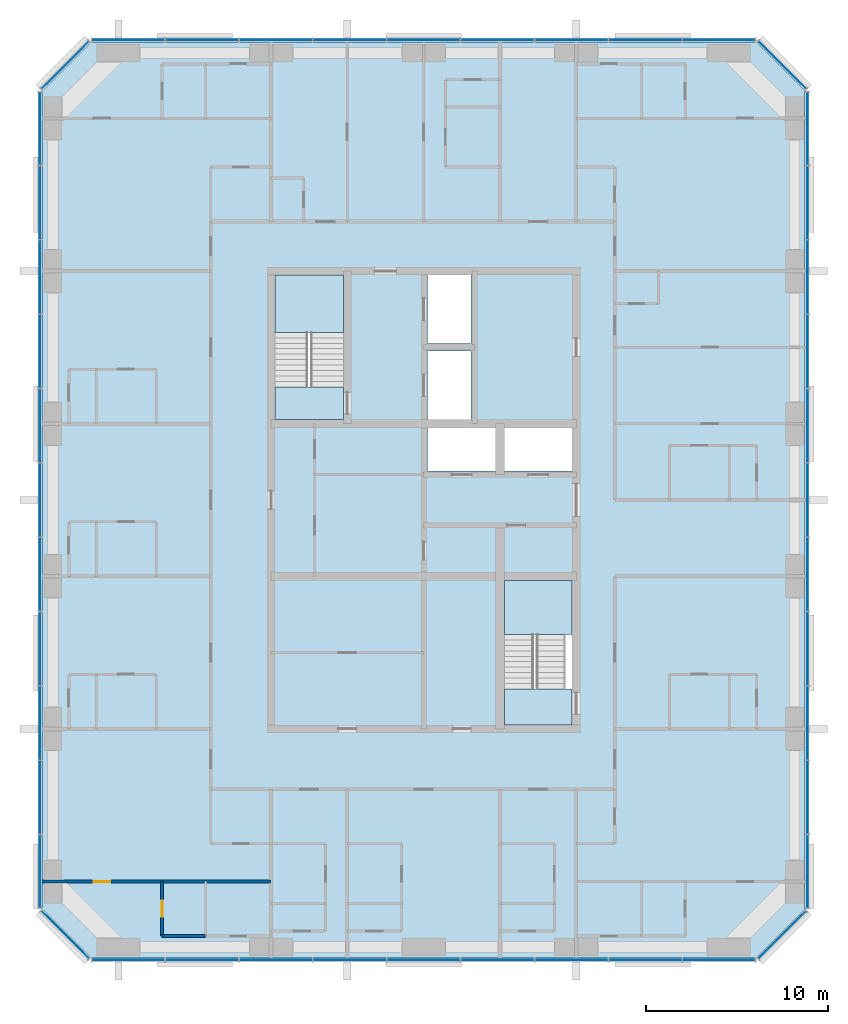
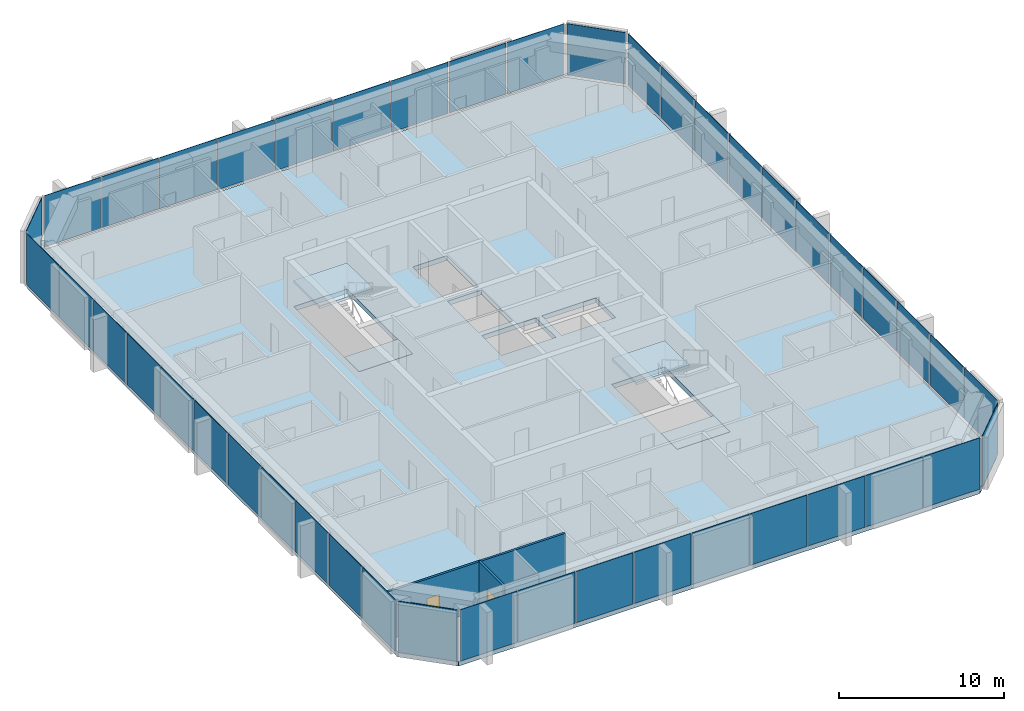
# One storey, part 6 of 12: 44 plates, 5 slabs, 3 walls, 2 doors, 2 openings, 10 elements without a shape of their own.
"""IFC4 building model written with IfcOpenShell, lengths in metres."""

from ifc_helpers import new_model, si_unit, direction, frame, frame_2d, origin, origin_2d, place, context, subcontext, project, spatial, polyline, rectangle, outline, extrude, material, layer, layer_set, type_object, element, fill, aggregate, save


model = new_model("IFC4")

# Units and contexts
model_context = context("Model", 3, precision=1e-05, world=origin(), true_north=direction((0.0, 1.0)))
body_context = subcontext(model_context, "Body", "Model", "MODEL_VIEW")
ifc_project = project(units=[si_unit("LENGTHUNIT", "METRE"), si_unit("AREAUNIT", "SQUARE_METRE"), si_unit("VOLUMEUNIT", "CUBIC_METRE"), si_unit("PLANEANGLEUNIT", "RADIAN"), si_unit("MASSUNIT", "GRAM", prefix="KILO")], contexts=[model_context])

# Site, building, storey
site_placement = place(None, origin())
site = spatial("IfcSite", under=ifc_project, at=site_placement, CompositionType="ELEMENT")
building_placement = place(site_placement, origin())
building = spatial("IfcBuilding", under=site, at=building_placement, Name="Dunama Terrace Hotel", CompositionType="ELEMENT")
storey_placement = place(building_placement, frame((0.0, 0.0, 245.10009765625)))
storey = spatial("IfcBuildingStorey", under=building, at=storey_placement, Name="L63", CompositionType="ELEMENT", Elevation=245.10009765625)

# Curtain wall, plates
ifc_material_1 = material(Name="Aluminium curtain wall system", Category="aluminium")
curtain_wall_type = type_object("IfcCurtainWallType", Name="Unitised fritted glass wall CW-D", PredefinedType="NOTDEFINED", material=ifc_material_1)
curtain_wall_1_placement = place(storey_placement, origin())
curtain_wall_1 = element("IfcCurtainWall", 1, at=curtain_wall_1_placement, inside=storey, type_object=curtain_wall_type, Name="Unitised fritted glass wall CW-D L63", PredefinedType="NOTDEFINED")
ifc_material_2 = material(Name="Laminated glass", Category="glass")
ifc_layer_1 = layer(ifc_material_2, 0.035888671875)
ifc_layer_set_1 = layer_set([ifc_layer_1], Name="CWD clear glass panel")
plate_type_1 = type_object("IfcPlateType", Name="CWD clear glass panel", PredefinedType="CURTAIN_PANEL", material=ifc_layer_set_1)
plate_1_placement = place(storey_placement, frame((25.467041015625, 4.080078125, 0.0849609375), z_axis=(0.0, 0.0, 1.0), x_axis=(1.0, 0.0, 0.0)))
plate_1 = element("IfcPlate", 2, at=plate_1_placement, type_object=plate_type_1, Name="CWD clear glass panel", PredefinedType="CURTAIN_PANEL", context=body_context, shape_type="SweptSolid", body=[
    extrude(rectangle(XDim=3.99658203125, YDim=0.035888671875, at=origin_2d()), origin(), (0.0, 0.0, 1.0), 3.81494140625),
])
plate_2_placement = place(storey_placement, frame((37.6669921875, 4.080078125, 0.0849609375), z_axis=(0.0, 0.0, 1.0), x_axis=(1.0, 0.0, 0.0)))
plate_2 = element("IfcPlate", 3, at=plate_2_placement, type_object=plate_type_1, Name="CWD clear glass panel", PredefinedType="CURTAIN_PANEL", context=body_context, shape_type="SweptSolid", body=[
    extrude(rectangle(XDim=3.99658203125, YDim=0.035888671875, at=origin_2d()), origin(), (0.0, 0.0, 1.0), 3.81494140625),
])
plate_3_placement = place(storey_placement, frame((49.84912109375, 4.080078125, 0.0849609375), z_axis=(0.0, 0.0, 1.0), x_axis=(1.0, 0.0, 0.0)))
plate_3 = element("IfcPlate", 4, at=plate_3_placement, type_object=plate_type_1, Name="CWD clear glass panel", PredefinedType="CURTAIN_PANEL", context=body_context, shape_type="SweptSolid", body=[
    extrude(rectangle(XDim=3.961669921875, YDim=0.035888671875, at=origin_2d()), origin(), (0.0, 0.0, 1.0), 3.81494140625),
])

curtain_wall_2_placement = place(storey_placement, origin())
curtain_wall_2 = element("IfcCurtainWall", 5, at=curtain_wall_2_placement, inside=storey, type_object=curtain_wall_type, Name="Unitised fritted glass wall CW-D L63", PredefinedType="NOTDEFINED")
plate_4_placement = place(storey_placement, frame((54.719970703125, 13.035888671875, 0.0849609375), z_axis=(0.0, 0.0, 1.0), x_axis=(0.0, 1.0, 0.0)))
plate_4 = element("IfcPlate", 6, at=plate_4_placement, type_object=plate_type_1, Name="CWD clear glass panel", PredefinedType="CURTAIN_PANEL", context=body_context, shape_type="SweptSolid", body=[
    extrude(rectangle(XDim=4.02099609375, YDim=0.035888671875, at=origin_2d()), origin(), (0.0, 0.0, 1.0), 3.81494140625),
])
plate_5_placement = place(storey_placement, frame((54.719970703125, 25.30908203125, 0.0849609375), z_axis=(0.0, 0.0, 1.0), x_axis=(0.0, 1.0, 0.0)))
plate_5 = element("IfcPlate", 7, at=plate_5_placement, type_object=plate_type_1, Name="CWD clear glass panel", PredefinedType="CURTAIN_PANEL", context=body_context, shape_type="SweptSolid", body=[
    extrude(rectangle(XDim=4.02099609375, YDim=0.035888671875, at=origin_2d()), origin(), (0.0, 0.0, 1.0), 3.81494140625),
])
plate_6_placement = place(storey_placement, frame((54.719970703125, 37.58203125, 0.0849609375), z_axis=(0.0, 0.0, 1.0), x_axis=(0.0, 1.0, 0.0)))
plate_6 = element("IfcPlate", 8, at=plate_6_placement, type_object=plate_type_1, Name="CWD clear glass panel", PredefinedType="CURTAIN_PANEL", context=body_context, shape_type="SweptSolid", body=[
    extrude(rectangle(XDim=4.02099609375, YDim=0.035888671875, at=origin_2d()), origin(), (0.0, 0.0, 1.0), 3.81494140625),
])
plate_7_placement = place(storey_placement, frame((54.719970703125, 49.8369140625, 0.0849609375), z_axis=(0.0, 0.0, 1.0), x_axis=(0.0, 1.0, 0.0)))
plate_7 = element("IfcPlate", 9, at=plate_7_placement, type_object=plate_type_1, Name="CWD clear glass panel", PredefinedType="CURTAIN_PANEL", context=body_context, shape_type="SweptSolid", body=[
    extrude(rectangle(XDim=3.98583984375, YDim=0.035888671875, at=origin_2d()), origin(), (0.0, 0.0, 1.0), 3.81494140625),
])

curtain_wall_3_placement = place(storey_placement, origin())
curtain_wall_3 = element("IfcCurtainWall", 10, at=curtain_wall_3_placement, inside=storey, type_object=curtain_wall_type, Name="Unitised fritted glass wall CW-D L63", PredefinedType="NOTDEFINED")
plate_8_placement = place(storey_placement, frame((45.800048828125, 54.719970703125, 0.0849609375), z_axis=(0.0, 0.0, 1.0), x_axis=(-1.0, 0.0, 0.0)))
plate_8 = element("IfcPlate", 11, at=plate_8_placement, type_object=plate_type_1, Name="CWD clear glass panel", PredefinedType="CURTAIN_PANEL", context=body_context, shape_type="SweptSolid", body=[
    extrude(rectangle(XDim=3.99658203125, YDim=0.035888671875, at=origin_2d()), origin(), (0.0, 0.0, 1.0), 3.81494140625),
])
plate_9_placement = place(storey_placement, frame((33.60009765625, 54.719970703125, 0.0849609375), z_axis=(0.0, 0.0, 1.0), x_axis=(-1.0, 0.0, 0.0)))
plate_9 = element("IfcPlate", 12, at=plate_9_placement, type_object=plate_type_1, Name="CWD clear glass panel", PredefinedType="CURTAIN_PANEL", context=body_context, shape_type="SweptSolid", body=[
    extrude(rectangle(XDim=3.99658203125, YDim=0.035888671875, at=origin_2d()), origin(), (0.0, 0.0, 1.0), 3.81494140625),
])
plate_10_placement = place(storey_placement, frame((21.39990234375, 54.719970703125, 0.0849609375), z_axis=(0.0, 0.0, 1.0), x_axis=(-1.0, 0.0, 0.0)))
plate_10 = element("IfcPlate", 13, at=plate_10_placement, type_object=plate_type_1, Name="CWD clear glass panel", PredefinedType="CURTAIN_PANEL", context=body_context, shape_type="SweptSolid", body=[
    extrude(rectangle(XDim=3.99658203125, YDim=0.035888671875, at=origin_2d()), origin(), (0.0, 0.0, 1.0), 3.81494140625),
])

curtain_wall_4_placement = place(storey_placement, origin())
curtain_wall_4 = element("IfcCurtainWall", 14, at=curtain_wall_4_placement, inside=storey, type_object=curtain_wall_type, Name="Unitised fritted glass wall CW-D L63", PredefinedType="NOTDEFINED")
plate_11_placement = place(storey_placement, frame((12.47998046875, 49.8369140625, 0.0849609375), z_axis=(0.0, 0.0, 1.0), x_axis=(0.0, -1.0, 0.0)))
plate_11 = element("IfcPlate", 15, at=plate_11_placement, type_object=plate_type_1, Name="CWD clear glass panel", PredefinedType="CURTAIN_PANEL", context=body_context, shape_type="SweptSolid", body=[
    extrude(rectangle(XDim=3.98583984375, YDim=0.035888671875, at=origin_2d()), origin(), (0.0, 0.0, 1.0), 3.81494140625),
])
plate_12_placement = place(storey_placement, frame((12.47998046875, 37.58203125, 0.0849609375), z_axis=(0.0, 0.0, 1.0), x_axis=(0.0, -1.0, 0.0)))
plate_12 = element("IfcPlate", 16, at=plate_12_placement, type_object=plate_type_1, Name="CWD clear glass panel", PredefinedType="CURTAIN_PANEL", context=body_context, shape_type="SweptSolid", body=[
    extrude(rectangle(XDim=4.02099609375, YDim=0.035888671875, at=origin_2d()), origin(), (0.0, 0.0, 1.0), 3.81494140625),
])
plate_13_placement = place(storey_placement, frame((12.47998046875, 25.30908203125, 0.0849609375), z_axis=(0.0, 0.0, 1.0), x_axis=(0.0, -1.0, 0.0)))
plate_13 = element("IfcPlate", 17, at=plate_13_placement, type_object=plate_type_1, Name="CWD clear glass panel", PredefinedType="CURTAIN_PANEL", context=body_context, shape_type="SweptSolid", body=[
    extrude(rectangle(XDim=4.02099609375, YDim=0.035888671875, at=origin_2d()), origin(), (0.0, 0.0, 1.0), 3.81494140625),
])
plate_14_placement = place(storey_placement, frame((12.47998046875, 13.035888671875, 0.0849609375), z_axis=(0.0, 0.0, 1.0), x_axis=(0.0, -1.0, 0.0)))
plate_14 = element("IfcPlate", 18, at=plate_14_placement, type_object=plate_type_1, Name="CWD clear glass panel", PredefinedType="CURTAIN_PANEL", context=body_context, shape_type="SweptSolid", body=[
    extrude(rectangle(XDim=4.02099609375, YDim=0.035888671875, at=origin_2d()), origin(), (0.0, 0.0, 1.0), 3.81494140625),
])

# Plate
ifc_material_3 = material(Name="Fritted laminated glass", Category="glass")
ifc_layer_2 = layer(ifc_material_3, 0.035888671875)
ifc_layer_set_2 = layer_set([ifc_layer_2], Name="CWD fritted glass panel")
plate_type_2 = type_object("IfcPlateType", Name="CWD fritted glass panel", PredefinedType="CURTAIN_PANEL", material=ifc_layer_set_2)
plate_15_placement = place(storey_placement, frame((21.39990234375, 4.080078125, 0.0849609375), z_axis=(0.0, 0.0, 1.0), x_axis=(1.0, 0.0, 0.0)))
plate_15 = element("IfcPlate", 19, at=plate_15_placement, type_object=plate_type_2, Name="CWD fritted glass panel", PredefinedType="CURTAIN_PANEL", context=body_context, shape_type="SweptSolid", body=[
    extrude(rectangle(XDim=3.99658203125, YDim=0.035888671875, at=origin_2d()), origin(), (0.0, 0.0, 1.0), 3.81494140625),
])

plate_16_placement = place(storey_placement, frame((33.60009765625, 4.080078125, 0.0849609375), z_axis=(0.0, 0.0, 1.0), x_axis=(1.0, 0.0, 0.0)))
plate_16 = element("IfcPlate", 20, at=plate_16_placement, type_object=plate_type_2, Name="CWD fritted glass panel", PredefinedType="CURTAIN_PANEL", context=body_context, shape_type="SweptSolid", body=[
    extrude(rectangle(XDim=3.99658203125, YDim=0.035888671875, at=origin_2d()), origin(), (0.0, 0.0, 1.0), 3.81494140625),
])

plate_17_placement = place(storey_placement, frame((45.800048828125, 4.080078125, 0.0849609375), z_axis=(0.0, 0.0, 1.0), x_axis=(1.0, 0.0, 0.0)))
plate_17 = element("IfcPlate", 21, at=plate_17_placement, type_object=plate_type_2, Name="CWD fritted glass panel", PredefinedType="CURTAIN_PANEL", context=body_context, shape_type="SweptSolid", body=[
    extrude(rectangle(XDim=3.99658203125, YDim=0.035888671875, at=origin_2d()), origin(), (0.0, 0.0, 1.0), 3.81494140625),
])

plate_18_placement = place(storey_placement, frame((54.719970703125, 8.962890625, 0.0849609375), z_axis=(0.0, 0.0, 1.0), x_axis=(0.0, 1.0, 0.0)))
plate_18 = element("IfcPlate", 22, at=plate_18_placement, type_object=plate_type_2, Name="CWD fritted glass panel", PredefinedType="CURTAIN_PANEL", context=body_context, shape_type="SweptSolid", body=[
    extrude(rectangle(XDim=3.98583984375, YDim=0.035888671875, at=origin_2d()), origin(), (0.0, 0.0, 1.0), 3.81494140625),
])

plate_19_placement = place(storey_placement, frame((54.719970703125, 21.218017578125, 0.0849609375), z_axis=(0.0, 0.0, 1.0), x_axis=(0.0, 1.0, 0.0)))
plate_19 = element("IfcPlate", 23, at=plate_19_placement, type_object=plate_type_2, Name="CWD fritted glass panel", PredefinedType="CURTAIN_PANEL", context=body_context, shape_type="SweptSolid", body=[
    extrude(rectangle(XDim=4.02099609375, YDim=0.035888671875, at=origin_2d()), origin(), (0.0, 0.0, 1.0), 3.81494140625),
])

plate_20_placement = place(storey_placement, frame((54.719970703125, 33.490966796875, 0.0849609375), z_axis=(0.0, 0.0, 1.0), x_axis=(0.0, 1.0, 0.0)))
plate_20 = element("IfcPlate", 24, at=plate_20_placement, type_object=plate_type_2, Name="CWD fritted glass panel", PredefinedType="CURTAIN_PANEL", context=body_context, shape_type="SweptSolid", body=[
    extrude(rectangle(XDim=4.02099609375, YDim=0.035888671875, at=origin_2d()), origin(), (0.0, 0.0, 1.0), 3.81494140625),
])

plate_21_placement = place(storey_placement, frame((54.719970703125, 45.763916015625, 0.0849609375), z_axis=(0.0, 0.0, 1.0), x_axis=(0.0, 1.0, 0.0)))
plate_21 = element("IfcPlate", 25, at=plate_21_placement, type_object=plate_type_2, Name="CWD fritted glass panel", PredefinedType="CURTAIN_PANEL", context=body_context, shape_type="SweptSolid", body=[
    extrude(rectangle(XDim=4.02099609375, YDim=0.035888671875, at=origin_2d()), origin(), (0.0, 0.0, 1.0), 3.81494140625),
])

plate_22_placement = place(storey_placement, frame((49.84912109375, 54.719970703125, 0.0849609375), z_axis=(0.0, 0.0, 1.0), x_axis=(-1.0, 0.0, 0.0)))
plate_22 = element("IfcPlate", 26, at=plate_22_placement, type_object=plate_type_2, Name="CWD fritted glass panel", PredefinedType="CURTAIN_PANEL", context=body_context, shape_type="SweptSolid", body=[
    extrude(rectangle(XDim=3.961669921875, YDim=0.035888671875, at=origin_2d()), origin(), (0.0, 0.0, 1.0), 3.81494140625),
])

plate_23_placement = place(storey_placement, frame((37.6669921875, 54.719970703125, 0.0849609375), z_axis=(0.0, 0.0, 1.0), x_axis=(-1.0, 0.0, 0.0)))
plate_23 = element("IfcPlate", 27, at=plate_23_placement, type_object=plate_type_2, Name="CWD fritted glass panel", PredefinedType="CURTAIN_PANEL", context=body_context, shape_type="SweptSolid", body=[
    extrude(rectangle(XDim=3.99658203125, YDim=0.035888671875, at=origin_2d()), origin(), (0.0, 0.0, 1.0), 3.81494140625),
])

plate_24_placement = place(storey_placement, frame((25.467041015625, 54.719970703125, 0.0849609375), z_axis=(0.0, 0.0, 1.0), x_axis=(-1.0, 0.0, 0.0)))
plate_24 = element("IfcPlate", 28, at=plate_24_placement, type_object=plate_type_2, Name="CWD fritted glass panel", PredefinedType="CURTAIN_PANEL", context=body_context, shape_type="SweptSolid", body=[
    extrude(rectangle(XDim=3.99658203125, YDim=0.035888671875, at=origin_2d()), origin(), (0.0, 0.0, 1.0), 3.81494140625),
])

# Curtain wall, plate
curtain_wall_5_placement = place(storey_placement, origin())
curtain_wall_5 = element("IfcCurtainWall", 29, at=curtain_wall_5_placement, inside=storey, type_object=curtain_wall_type, Name="Unitised fritted glass wall CW-D L63", PredefinedType="NOTDEFINED")
plate_25_placement = place(storey_placement, frame((13.864990234375, 53.3349609375, 0.0849609375), z_axis=(0.0, 0.0, 1.0), x_axis=(-0.707106781187, -0.707106781187, 0.0)))
plate_25 = element("IfcPlate", 30, at=plate_25_placement, type_object=plate_type_2, Name="CWD fritted glass panel", PredefinedType="CURTAIN_PANEL", context=body_context, shape_type="SweptSolid", body=[
    extrude(rectangle(XDim=3.678466796875, YDim=0.035888671875, at=origin_2d()), origin(), (0.0, 0.0, 1.0), 3.81494140625),
])
aggregate(curtain_wall_5, [plate_25])

# Plate
plate_26_placement = place(storey_placement, frame((12.47998046875, 41.673095703125, 0.0849609375), z_axis=(0.0, 0.0, 1.0), x_axis=(0.0, -1.0, 0.0)))
plate_26 = element("IfcPlate", 31, at=plate_26_placement, type_object=plate_type_2, Name="CWD fritted glass panel", PredefinedType="CURTAIN_PANEL", context=body_context, shape_type="SweptSolid", body=[
    extrude(rectangle(XDim=4.02099609375, YDim=0.035888671875, at=origin_2d()), origin(), (0.0, 0.0, 1.0), 3.81494140625),
])

plate_27_placement = place(storey_placement, frame((12.47998046875, 29.39990234375, 0.0849609375), z_axis=(0.0, 0.0, 1.0), x_axis=(0.0, -1.0, 0.0)))
plate_27 = element("IfcPlate", 32, at=plate_27_placement, type_object=plate_type_2, Name="CWD fritted glass panel", PredefinedType="CURTAIN_PANEL", context=body_context, shape_type="SweptSolid", body=[
    extrude(rectangle(XDim=4.02099609375, YDim=0.035888671875, at=origin_2d()), origin(), (0.0, 0.0, 1.0), 3.81494140625),
])

plate_28_placement = place(storey_placement, frame((12.47998046875, 17.126953125, 0.0849609375), z_axis=(0.0, 0.0, 1.0), x_axis=(0.0, -1.0, 0.0)))
plate_28 = element("IfcPlate", 33, at=plate_28_placement, type_object=plate_type_2, Name="CWD fritted glass panel", PredefinedType="CURTAIN_PANEL", context=body_context, shape_type="SweptSolid", body=[
    extrude(rectangle(XDim=4.02099609375, YDim=0.035888671875, at=origin_2d()), origin(), (0.0, 0.0, 1.0), 3.81494140625),
])

# Curtain wall, plate
curtain_wall_6_placement = place(storey_placement, origin())
curtain_wall_6 = element("IfcCurtainWall", 34, at=curtain_wall_6_placement, inside=storey, type_object=curtain_wall_type, Name="Unitised fritted glass wall CW-D L63", PredefinedType="NOTDEFINED")
plate_29_placement = place(storey_placement, frame((13.864990234375, 5.465087890625, 0.0849609375), z_axis=(0.0, 0.0, 1.0), x_axis=(0.707106781187, -0.707106781187, 0.0)))
plate_29 = element("IfcPlate", 35, at=plate_29_placement, type_object=plate_type_2, Name="CWD fritted glass panel", PredefinedType="CURTAIN_PANEL", context=body_context, shape_type="SweptSolid", body=[
    extrude(rectangle(XDim=3.678466796875, YDim=0.035888671875, at=origin_2d()), origin(), (0.0, 0.0, 1.0), 3.81494140625),
])
aggregate(curtain_wall_6, [plate_29])

# Plate
ifc_material_4 = material(Name="Laminated glass", Category="glass")
ifc_layer_3 = layer(ifc_material_4, 0.035888671875)
ifc_layer_set_3 = layer_set([ifc_layer_3], Name="CWD operable glass panel")
plate_type_3 = type_object("IfcPlateType", Name="CWD operable glass panel", PredefinedType="CURTAIN_PANEL", material=ifc_layer_set_3)
plate_30_placement = place(storey_placement, frame((17.35107421875, 4.080078125, 0.0849609375), z_axis=(0.0, 0.0, 1.0), x_axis=(1.0, 0.0, 0.0)))
plate_30 = element("IfcPlate", 36, at=plate_30_placement, type_object=plate_type_3, Name="CWD operable glass panel", PredefinedType="CURTAIN_PANEL", context=body_context, shape_type="SweptSolid", body=[
    extrude(rectangle(XDim=3.961669921875, YDim=0.035888671875, at=origin_2d()), origin(), (0.0, 0.0, 1.0), 3.81494140625),
])

plate_31_placement = place(storey_placement, frame((29.532958984375, 4.080078125, 0.0849609375), z_axis=(0.0, 0.0, 1.0), x_axis=(1.0, 0.0, 0.0)))
plate_31 = element("IfcPlate", 37, at=plate_31_placement, type_object=plate_type_3, Name="CWD operable glass panel", PredefinedType="CURTAIN_PANEL", context=body_context, shape_type="SweptSolid", body=[
    extrude(rectangle(XDim=3.99658203125, YDim=0.035888671875, at=origin_2d()), origin(), (0.0, 0.0, 1.0), 3.81494140625),
])

plate_32_placement = place(storey_placement, frame((41.73291015625, 4.080078125, 0.0849609375), z_axis=(0.0, 0.0, 1.0), x_axis=(1.0, 0.0, 0.0)))
plate_32 = element("IfcPlate", 38, at=plate_32_placement, type_object=plate_type_3, Name="CWD operable glass panel", PredefinedType="CURTAIN_PANEL", context=body_context, shape_type="SweptSolid", body=[
    extrude(rectangle(XDim=3.99658203125, YDim=0.035888671875, at=origin_2d()), origin(), (0.0, 0.0, 1.0), 3.81494140625),
])

aggregate(curtain_wall_1, [plate_30, plate_15, plate_1, plate_31, plate_16, plate_2, plate_32, plate_17, plate_3])

# Curtain wall, plate
curtain_wall_7_placement = place(storey_placement, origin())
curtain_wall_7 = element("IfcCurtainWall", 39, at=curtain_wall_7_placement, inside=storey, type_object=curtain_wall_type, Name="Unitised fritted glass wall CW-D L63", PredefinedType="NOTDEFINED")
plate_33_placement = place(storey_placement, frame((53.3349609375, 5.465087890625, 0.0849609375), z_axis=(0.0, 0.0, 1.0), x_axis=(0.707106781187, 0.707106781187, 0.0)))
plate_33 = element("IfcPlate", 40, at=plate_33_placement, type_object=plate_type_3, Name="CWD operable glass panel", PredefinedType="CURTAIN_PANEL", context=body_context, shape_type="SweptSolid", body=[
    extrude(rectangle(XDim=3.678466796875, YDim=0.035888671875, at=origin_2d()), origin(), (0.0, 0.0, 1.0), 3.81494140625),
])
aggregate(curtain_wall_7, [plate_33])

# Plate
plate_34_placement = place(storey_placement, frame((54.719970703125, 17.126953125, 0.0849609375), z_axis=(0.0, 0.0, 1.0), x_axis=(0.0, 1.0, 0.0)))
plate_34 = element("IfcPlate", 41, at=plate_34_placement, type_object=plate_type_3, Name="CWD operable glass panel", PredefinedType="CURTAIN_PANEL", context=body_context, shape_type="SweptSolid", body=[
    extrude(rectangle(XDim=4.02099609375, YDim=0.035888671875, at=origin_2d()), origin(), (0.0, 0.0, 1.0), 3.81494140625),
])

plate_35_placement = place(storey_placement, frame((54.719970703125, 29.39990234375, 0.0849609375), z_axis=(0.0, 0.0, 1.0), x_axis=(0.0, 1.0, 0.0)))
plate_35 = element("IfcPlate", 42, at=plate_35_placement, type_object=plate_type_3, Name="CWD operable glass panel", PredefinedType="CURTAIN_PANEL", context=body_context, shape_type="SweptSolid", body=[
    extrude(rectangle(XDim=4.02099609375, YDim=0.035888671875, at=origin_2d()), origin(), (0.0, 0.0, 1.0), 3.81494140625),
])

plate_36_placement = place(storey_placement, frame((54.719970703125, 41.673095703125, 0.0849609375), z_axis=(0.0, 0.0, 1.0), x_axis=(0.0, 1.0, 0.0)))
plate_36 = element("IfcPlate", 43, at=plate_36_placement, type_object=plate_type_3, Name="CWD operable glass panel", PredefinedType="CURTAIN_PANEL", context=body_context, shape_type="SweptSolid", body=[
    extrude(rectangle(XDim=4.02099609375, YDim=0.035888671875, at=origin_2d()), origin(), (0.0, 0.0, 1.0), 3.81494140625),
])

aggregate(curtain_wall_2, [plate_18, plate_4, plate_34, plate_19, plate_5, plate_35, plate_20, plate_6, plate_36, plate_21, plate_7])

# Curtain wall, plate
curtain_wall_8_placement = place(storey_placement, origin())
curtain_wall_8 = element("IfcCurtainWall", 44, at=curtain_wall_8_placement, inside=storey, type_object=curtain_wall_type, Name="Unitised fritted glass wall CW-D L63", PredefinedType="NOTDEFINED")
plate_37_placement = place(storey_placement, frame((53.3349609375, 53.3349609375, 0.0849609375), z_axis=(0.0, 0.0, 1.0), x_axis=(-0.707106781187, 0.707106781187, 0.0)))
plate_37 = element("IfcPlate", 45, at=plate_37_placement, type_object=plate_type_3, Name="CWD operable glass panel", PredefinedType="CURTAIN_PANEL", context=body_context, shape_type="SweptSolid", body=[
    extrude(rectangle(XDim=3.678466796875, YDim=0.035888671875, at=origin_2d()), origin(), (0.0, 0.0, 1.0), 3.81494140625),
])
aggregate(curtain_wall_8, [plate_37])

# Plate
plate_38_placement = place(storey_placement, frame((41.73291015625, 54.719970703125, 0.0849609375), z_axis=(0.0, 0.0, 1.0), x_axis=(-1.0, 0.0, 0.0)))
plate_38 = element("IfcPlate", 46, at=plate_38_placement, type_object=plate_type_3, Name="CWD operable glass panel", PredefinedType="CURTAIN_PANEL", context=body_context, shape_type="SweptSolid", body=[
    extrude(rectangle(XDim=3.99658203125, YDim=0.035888671875, at=origin_2d()), origin(), (0.0, 0.0, 1.0), 3.81494140625),
])

plate_39_placement = place(storey_placement, frame((29.532958984375, 54.719970703125, 0.0849609375), z_axis=(0.0, 0.0, 1.0), x_axis=(-1.0, 0.0, 0.0)))
plate_39 = element("IfcPlate", 47, at=plate_39_placement, type_object=plate_type_3, Name="CWD operable glass panel", PredefinedType="CURTAIN_PANEL", context=body_context, shape_type="SweptSolid", body=[
    extrude(rectangle(XDim=3.99658203125, YDim=0.035888671875, at=origin_2d()), origin(), (0.0, 0.0, 1.0), 3.81494140625),
])

plate_40_placement = place(storey_placement, frame((17.35107421875, 54.719970703125, 0.0849609375), z_axis=(0.0, 0.0, 1.0), x_axis=(-1.0, 0.0, 0.0)))
plate_40 = element("IfcPlate", 48, at=plate_40_placement, type_object=plate_type_3, Name="CWD operable glass panel", PredefinedType="CURTAIN_PANEL", context=body_context, shape_type="SweptSolid", body=[
    extrude(rectangle(XDim=3.961669921875, YDim=0.035888671875, at=origin_2d()), origin(), (0.0, 0.0, 1.0), 3.81494140625),
])

aggregate(curtain_wall_3, [plate_22, plate_8, plate_38, plate_23, plate_9, plate_39, plate_24, plate_10, plate_40])

plate_41_placement = place(storey_placement, frame((12.47998046875, 45.763916015625, 0.0849609375), z_axis=(0.0, 0.0, 1.0), x_axis=(0.0, -1.0, 0.0)))
plate_41 = element("IfcPlate", 49, at=plate_41_placement, type_object=plate_type_3, Name="CWD operable glass panel", PredefinedType="CURTAIN_PANEL", context=body_context, shape_type="SweptSolid", body=[
    extrude(rectangle(XDim=4.02099609375, YDim=0.035888671875, at=origin_2d()), origin(), (0.0, 0.0, 1.0), 3.81494140625),
])

plate_42_placement = place(storey_placement, frame((12.47998046875, 33.490966796875, 0.0849609375), z_axis=(0.0, 0.0, 1.0), x_axis=(0.0, -1.0, 0.0)))
plate_42 = element("IfcPlate", 50, at=plate_42_placement, type_object=plate_type_3, Name="CWD operable glass panel", PredefinedType="CURTAIN_PANEL", context=body_context, shape_type="SweptSolid", body=[
    extrude(rectangle(XDim=4.02099609375, YDim=0.035888671875, at=origin_2d()), origin(), (0.0, 0.0, 1.0), 3.81494140625),
])

plate_43_placement = place(storey_placement, frame((12.47998046875, 21.218017578125, 0.0849609375), z_axis=(0.0, 0.0, 1.0), x_axis=(0.0, -1.0, 0.0)))
plate_43 = element("IfcPlate", 51, at=plate_43_placement, type_object=plate_type_3, Name="CWD operable glass panel", PredefinedType="CURTAIN_PANEL", context=body_context, shape_type="SweptSolid", body=[
    extrude(rectangle(XDim=4.02099609375, YDim=0.035888671875, at=origin_2d()), origin(), (0.0, 0.0, 1.0), 3.81494140625),
])

plate_44_placement = place(storey_placement, frame((12.47998046875, 8.962890625, 0.0849609375), z_axis=(0.0, 0.0, 1.0), x_axis=(0.0, -1.0, 0.0)))
plate_44 = element("IfcPlate", 52, at=plate_44_placement, type_object=plate_type_3, Name="CWD operable glass panel", PredefinedType="CURTAIN_PANEL", context=body_context, shape_type="SweptSolid", body=[
    extrude(rectangle(XDim=3.98583984375, YDim=0.035888671875, at=origin_2d()), origin(), (0.0, 0.0, 1.0), 3.81494140625),
])

aggregate(curtain_wall_4, [plate_11, plate_41, plate_26, plate_12, plate_42, plate_27, plate_13, plate_43, plate_28, plate_14, plate_44])

# Slab
ifc_material_5 = material(Name="Concrete C40/50", Category="concrete")
ifc_layer_4 = layer(ifc_material_5, 0.35009765625)
ifc_layer_set_4 = layer_set([ifc_layer_4], Name="Flat plate 350")
slab_type_1 = type_object("IfcSlabType", Name="Flat plate 350", PredefinedType="FLOOR", material=ifc_layer_set_4)
slab_1_placement = place(storey_placement, frame((0.0, 0.0, -0.35009765625)))
element("IfcSlab", 53, at=slab_1_placement, inside=storey, type_object=slab_type_1, Name="Floor slab L63", PredefinedType="FLOOR", context=body_context, shape_type="SweptSolid", body=[
    extrude(outline(polyline([(15.300048828125, 4.199951171875), (51.89990234375, 4.199951171875), (54.60009765625, 6.89990234375), (54.60009765625, 51.89990234375), (51.89990234375, 54.60009765625), (15.300048828125, 54.60009765625), (12.60009765625, 51.89990234375), (12.60009765625, 6.89990234375), (15.300048828125, 4.199951171875)]), holes=[polyline([(37.60009765625, 31.0), (37.60009765625, 33.39990234375), (33.800048828125, 33.39990234375), (33.800048828125, 31.0), (37.60009765625, 31.0)]), polyline([(41.800048828125, 31.0), (41.800048828125, 33.39990234375), (38.0, 33.39990234375), (38.0, 31.0), (41.800048828125, 31.0)]), polyline([(36.199951171875, 38.0), (36.199951171875, 41.800048828125), (33.800048828125, 41.800048828125), (33.800048828125, 38.0), (36.199951171875, 38.0)]), polyline([(36.199951171875, 33.800048828125), (36.199951171875, 37.60009765625), (33.800048828125, 37.60009765625), (33.800048828125, 33.800048828125), (36.199951171875, 33.800048828125)]), polyline([(29.175048828125, 33.824951171875), (29.175048828125, 41.77490234375), (25.425048828125, 41.77490234375), (25.425048828125, 33.824951171875), (29.175048828125, 33.824951171875)]), polyline([(41.77490234375, 17.02490234375), (41.77490234375, 24.97509765625), (38.050048828125, 24.97509765625), (38.050048828125, 17.02490234375), (41.77490234375, 17.02490234375)])]), origin(), (0.0, 0.0, 1.0), 0.35009765625),
])

# Stair, slabs
ifc_material_6 = material(Name="Concrete C40/50", Category="concrete")
stair_type_1 = type_object("IfcStairType", Name="Stair ST1-3900-1800", PredefinedType="HALF_TURN_STAIR", material=ifc_material_6)
stair_1_placement = place(storey_placement, origin())
stair_1 = element("IfcStair", 54, at=stair_1_placement, inside=storey, type_object=stair_type_1, Name="Stair ST1 L63", PredefinedType="HALF_TURN_STAIR")
ifc_material_7 = material(Name="Concrete C40/50", Category="concrete")
ifc_layer_5 = layer(ifc_material_7, 0.199951171875)
ifc_layer_set_5 = layer_set([ifc_layer_5], Name="Stair landing 200")
slab_type_2 = type_object("IfcSlabType", Name="Stair landing 200", PredefinedType="LANDING", material=ifc_layer_set_5)
slab_2_placement = place(storey_placement, frame((0.0, 0.0, -0.2001953125)))
slab_2 = element("IfcSlab", 55, at=slab_2_placement, type_object=slab_type_2, Name="ST1 landing 1, type S10", PredefinedType="LANDING", context=body_context, shape_type="SweptSolid", body=[
    extrude(outline(polyline([(25.425048828125, 33.824951171875), (29.175048828125, 33.824951171875), (29.175048828125, 35.625), (25.425048828125, 35.625), (25.425048828125, 33.824951171875)])), origin(), (0.0, 0.0, 1.0), 0.2001953125),
])
slab_3_placement = place(storey_placement, frame((0.0, 0.0, 1.75)))
slab_3 = element("IfcSlab", 56, at=slab_3_placement, type_object=slab_type_2, Name="ST1 landing 2, type S10", PredefinedType="LANDING", context=body_context, shape_type="SweptSolid", body=[
    extrude(outline(polyline([(25.425048828125, 38.625), (29.175048828125, 38.625), (29.175048828125, 41.77490234375), (25.425048828125, 41.77490234375), (25.425048828125, 38.625)])), origin(), (0.0, 0.0, 1.0), 0.199951171875),
])
aggregate(stair_1, [slab_2, slab_3])

ifc_material_8 = material(Name="Concrete C40/50", Category="concrete")
stair_type_2 = type_object("IfcStairType", Name="Stair ST2-3900-1600", PredefinedType="HALF_TURN_STAIR", material=ifc_material_8)
stair_2_placement = place(storey_placement, origin())
stair_2 = element("IfcStair", 57, at=stair_2_placement, inside=storey, type_object=stair_type_2, Name="Stair ST2 L63", PredefinedType="HALF_TURN_STAIR")
slab_4_placement = place(storey_placement, frame((0.0, 0.0, -0.2001953125)))
slab_4 = element("IfcSlab", 58, at=slab_4_placement, type_object=slab_type_2, Name="ST2 landing 1, type S10", PredefinedType="LANDING", context=body_context, shape_type="SweptSolid", body=[
    extrude(outline(polyline([(38.050048828125, 17.02490234375), (41.77490234375, 17.02490234375), (41.77490234375, 19.0), (38.050048828125, 19.0), (38.050048828125, 17.02490234375)])), origin(), (0.0, 0.0, 1.0), 0.2001953125),
])
slab_5_placement = place(storey_placement, frame((0.0, 0.0, 1.75)))
slab_5 = element("IfcSlab", 59, at=slab_5_placement, type_object=slab_type_2, Name="ST2 landing 2, type S10", PredefinedType="LANDING", context=body_context, shape_type="SweptSolid", body=[
    extrude(outline(polyline([(38.050048828125, 22.0), (41.77490234375, 22.0), (41.77490234375, 24.97509765625), (38.050048828125, 24.97509765625), (38.050048828125, 22.0)])), origin(), (0.0, 0.0, 1.0), 0.199951171875),
])
aggregate(stair_2, [slab_4, slab_5])

# Wall, opening, door
ifc_material_9 = material(Name="Gypsum board partition", Category="masonry")
ifc_layer_6 = layer(ifc_material_9, 0.14990234375)
ifc_layer_set_6 = layer_set([ifc_layer_6], Name="Room partition 150")
wall_type = type_object("IfcWallType", Name="Room partition 150", PredefinedType="PARTITIONING", material=ifc_layer_set_6)
wall_1_placement = place(storey_placement, frame((19.199951171875, 5.39990234375, 0.0), z_axis=(0.0, 0.0, 1.0), x_axis=(0.0, 1.0, 0.0)))
wall_1 = element("IfcWall", 60, at=wall_1_placement, inside=storey, type_object=wall_type, Name="Room partition 150 L63", PredefinedType="PARTITIONING", context=body_context, shape_type="SweptSolid", body=[
    extrude(rectangle(XDim=3.0, YDim=0.14990234375, at=frame_2d((1.5, 0.0))), origin(), (0.0, 0.0, 1.0), 3.5498046875),
])
opening_1_placement = place(wall_1_placement, frame((1.050048828125, 0.0, 0.0)))
opening_1 = element("IfcOpeningElement", 61, at=opening_1_placement, cuts=wall_1, Name="Opening L62-64-045", PredefinedType="OPENING", context=body_context, shape_type="SweptSolid", body=[
    extrude(rectangle(XDim=0.89990234375, YDim=2.10009765625, at=frame_2d((0.449951171875, 1.050048828125))), frame((0.0, 0.0849609375, 0.0), z_axis=(0.0, -1.0, 0.0), x_axis=(1.0, 0.0, 0.0)), (0.0, 0.0, 1.0), 0.169921875),
])
ifc_material_10 = material(Name="Timber door with steel frame", Category="steel")
door_type = type_object("IfcDoorType", Name="Suite internal door 900", OperationType="SINGLE_SWING_LEFT", PredefinedType="DOOR", material=ifc_material_10)
door_1_placement = place(opening_1_placement, frame((0.89990234375, 0.0, 0.0), z_axis=(0.0, 0.0, 1.0), x_axis=(-1.0, 0.0, 0.0)))
door_1 = element("IfcDoor", 62, at=door_1_placement, inside=storey, type_object=door_type, Name="Door to dressing room L62-64-045, type D16", OperationType="SINGLE_SWING_RIGHT", OverallHeight=2.10009765625, OverallWidth=0.89990234375, PredefinedType="DOOR", context=body_context, shape_type="SweptSolid", body=[
    extrude(rectangle(XDim=0.89990234375, YDim=2.10009765625, at=frame_2d((0.449951171875, 1.050048828125))), frame((0.0, 0.025146484375, 0.0), z_axis=(0.0, -1.0, 0.0), x_axis=(1.0, 0.0, 0.0)), (0.0, 0.0, 1.0), 0.050048828125),
])
fill(opening_1, door_1)

# Wall
wall_2_placement = place(storey_placement, frame((19.199951171875, 5.39990234375, 0.0), z_axis=(0.0, 0.0, 1.0), x_axis=(1.0, 0.0, 0.0)))
element("IfcWall", 63, at=wall_2_placement, inside=storey, type_object=wall_type, Name="Room partition 150 L63", PredefinedType="PARTITIONING", context=body_context, shape_type="SweptSolid", body=[
    extrude(rectangle(XDim=2.400146484375, YDim=0.14990234375, at=frame_2d((1.2001953125, 0.0))), origin(), (0.0, 0.0, 1.0), 3.5498046875),
])

# Wall, opening, door
wall_3_placement = place(storey_placement, frame((12.58203125, 8.39990234375, 0.0), z_axis=(0.0, 0.0, 1.0), x_axis=(1.0, 0.0, 0.0)))
wall_3 = element("IfcWall", 64, at=wall_3_placement, inside=storey, type_object=wall_type, Name="Room partition 150 L63", PredefinedType="PARTITIONING", context=body_context, shape_type="SweptSolid", body=[
    extrude(rectangle(XDim=12.617919921875, YDim=0.14990234375, at=frame_2d((6.30908203125, 0.0))), origin(), (0.0, 0.0, 1.0), 3.5498046875),
])
opening_2_placement = place(wall_3_placement, frame((2.867919921875, 0.0, 0.0)))
opening_2 = element("IfcOpeningElement", 65, at=opening_2_placement, cuts=wall_3, Name="Opening L62-64-043", PredefinedType="OPENING", context=body_context, shape_type="SweptSolid", body=[
    extrude(rectangle(XDim=0.89990234375, YDim=2.10009765625, at=frame_2d((0.449951171875, 1.050048828125))), frame((0.0, 0.0849609375, 0.0), z_axis=(0.0, -1.0, 0.0), x_axis=(1.0, 0.0, 0.0)), (0.0, 0.0, 1.0), 0.169921875),
])
door_2_placement = place(opening_2_placement, frame((0.89990234375, 0.0, 0.0), z_axis=(0.0, 0.0, 1.0), x_axis=(-1.0, 0.0, 0.0)))
door_2 = element("IfcDoor", 66, at=door_2_placement, inside=storey, type_object=door_type, Name="Door to grand corner suite bedroom L62-64-043, type D16", OperationType="SINGLE_SWING_RIGHT", OverallHeight=2.10009765625, OverallWidth=0.89990234375, PredefinedType="DOOR", context=body_context, shape_type="SweptSolid", body=[
    extrude(rectangle(XDim=0.89990234375, YDim=2.10009765625, at=frame_2d((0.449951171875, 1.050048828125))), frame((0.0, 0.025146484375, 0.0), z_axis=(0.0, -1.0, 0.0), x_axis=(1.0, 0.0, 0.0)), (0.0, 0.0, 1.0), 0.050048828125),
])
fill(opening_2, door_2)

save(model, "model.ifc")
